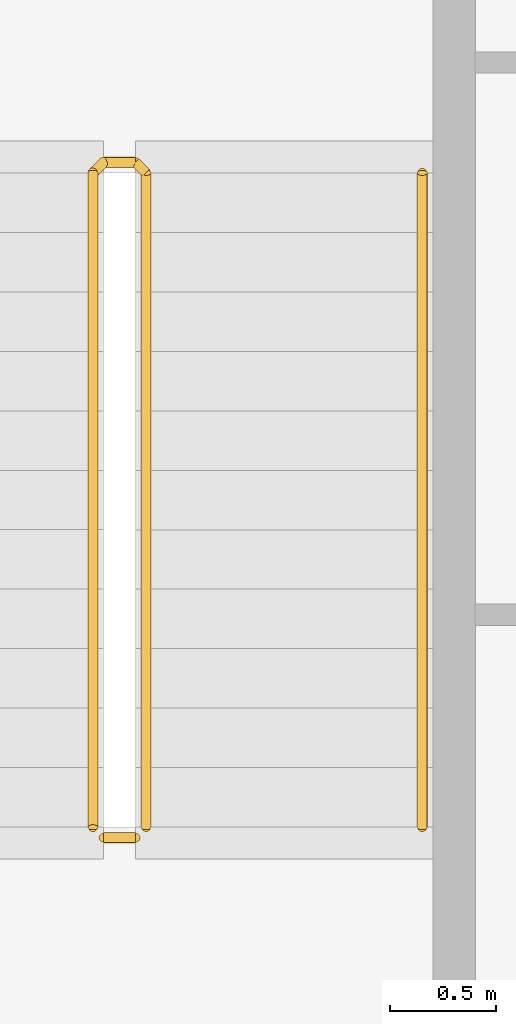
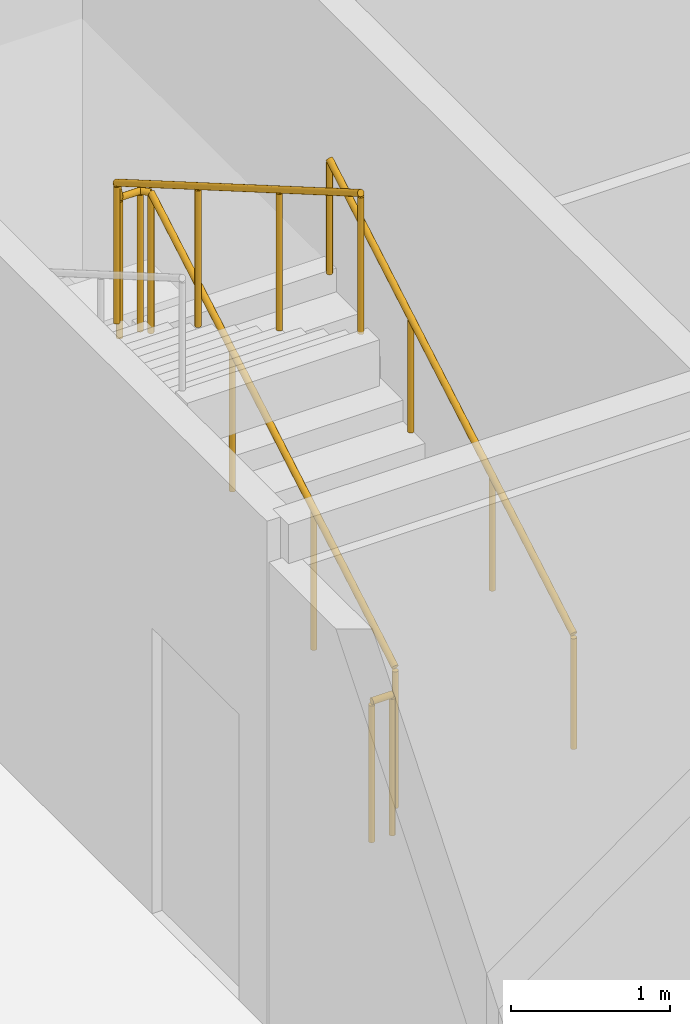
# One storey, part 16 of 17: 3 railings.
"""IFC4 building model written with IfcOpenShell, lengths in metres."""

from ifc_helpers import new_model, si_unit, direction, frame, origin, origin_2d, place, context, subcontext, project, spatial, circle, extrude, material, type_object, element, save


model = new_model("IFC4")

# Units and contexts
model_context = context("Model", 3, precision=1e-05, world=origin(), true_north=direction((0.0, 1.0)))
body_context = subcontext(model_context, "Body", "Model", "MODEL_VIEW")
ifc_project = project(units=[si_unit("LENGTHUNIT", "METRE"), si_unit("AREAUNIT", "SQUARE_METRE"), si_unit("VOLUMEUNIT", "CUBIC_METRE"), si_unit("PLANEANGLEUNIT", "RADIAN"), si_unit("MASSUNIT", "GRAM", prefix="KILO")], contexts=[model_context])

# Site, building, storey
site_placement = place(None, origin())
site = spatial("IfcSite", under=ifc_project, at=site_placement, CompositionType="ELEMENT")
building_placement = place(site_placement, origin())
building = spatial("IfcBuilding", under=site, at=building_placement, Name="Kheshtan School and Residences Tower", CompositionType="ELEMENT")
storey_placement = place(building_placement, frame((0.0, 0.0, 342.199951171875)))
storey = spatial("IfcBuildingStorey", under=building, at=storey_placement, Name="L80", CompositionType="ELEMENT", Elevation=342.199951171875)

# Railings
ifc_material_1 = material(Name="Stainless steel balustrade", Category="steel")
railing_type_1 = type_object("IfcRailingType", Name="Stair guard 1100", PredefinedType="GUARDRAIL", material=ifc_material_1)
railing_1_placement = place(storey_placement, frame((35.0, 80.89990234375, 0.16259765625)))
element("IfcRailing", 1, at=railing_1_placement, inside=storey, type_object=railing_type_1, Name="L80 ST3 stair guard 1", PredefinedType="GUARDRAIL", context=body_context, shape_type="SweptSolid", body=[
    extrude(circle(Radius=0.02392578125, at=origin_2d()), frame((0.0, 0.0, 1.076171875), z_axis=(0.0, 0.864920483161, 0.501908913857), x_axis=(-1.0, 0.0, 0.0)), (0.0, 0.0, 1.0), 3.56103515625),
    extrude(circle(Radius=0.02392578125, at=origin_2d()), frame((0.0, 3.080078125, 2.86328125), z_axis=(-0.707106781187, 0.707106781187, 0.0), x_axis=(-0.707106781187, -0.707106781187, 0.0)), (0.0, 0.0, 1.0), 0.07080078125),
    extrude(circle(Radius=0.02392578125, at=origin_2d()), frame((-0.050048828125, 3.130126953125, 2.86328125), z_axis=(-1.0, 0.0, 0.0), x_axis=(0.0, -1.0, 0.0)), (0.0, 0.0, 1.0), 0.14990234375),
    extrude(circle(Radius=0.02392578125, at=origin_2d()), frame((-0.199951171875, 3.130126953125, 2.86328125), z_axis=(-0.282227285176, -0.282227285176, 0.916894497205), x_axis=(0.707106781187, -0.707106781187, 0.0)), (0.0, 0.0, 1.0), 0.17724609375),
    extrude(circle(Radius=0.02392578125, at=origin_2d()), frame((-0.25, 3.080078125, 3.02587890625), z_axis=(0.0, -0.864890721111, 0.501960198159), x_axis=(1.0, 0.0, 0.0)), (0.0, 0.0, 1.0), 3.561279296875),
    extrude(circle(Radius=0.02099609375, at=origin_2d()), origin(), (0.0, 0.0, 1.0), 1.052001953125),
    extrude(circle(Radius=0.02099609375, at=origin_2d()), frame((0.0, 1.026611328125, 0.595703125)), (0.0, 0.0, 1.0), 1.052001953125),
    extrude(circle(Radius=0.02099609375, at=origin_2d()), frame((0.0, 2.053466796875, 1.191650390625)), (0.0, 0.0, 1.0), 1.052001953125),
    extrude(circle(Radius=0.02099609375, at=origin_2d()), frame((0.0, 3.080078125, 1.787353515625)), (0.0, 0.0, 1.0), 1.052001953125),
    extrude(circle(Radius=0.02099609375, at=origin_2d()), frame((-0.050048828125, 3.130126953125, 1.787353515625)), (0.0, 0.0, 1.0), 1.052001953125),
    extrude(circle(Radius=0.02099609375, at=origin_2d()), frame((-0.199951171875, 3.130126953125, 1.787353515625)), (0.0, 0.0, 1.0), 1.052001953125),
    extrude(circle(Radius=0.02099609375, at=origin_2d()), frame((-0.25, 3.080078125, 1.949951171875)), (0.0, 0.0, 1.0), 1.052001953125),
    extrude(circle(Radius=0.02099609375, at=origin_2d()), frame((-0.25, 2.053466796875, 2.5458984375)), (0.0, 0.0, 1.0), 1.052001953125),
    extrude(circle(Radius=0.02099609375, at=origin_2d()), frame((-0.25, 1.026611328125, 3.1416015625)), (0.0, 0.0, 1.0), 1.052001953125),
    extrude(circle(Radius=0.02099609375, at=origin_2d()), frame((-0.25, 0.0, 3.737548828125)), (0.0, 0.0, 1.0), 1.052001953125),
])
railing_2_placement = place(storey_placement, frame((34.949951171875, 80.85009765625, 0.0)))
element("IfcRailing", 2, at=railing_2_placement, inside=storey, type_object=railing_type_1, Name="L80 ST3 stair guard 2", PredefinedType="GUARDRAIL", context=body_context, shape_type="SweptSolid", body=[
    extrude(circle(Radius=0.02392578125, at=origin_2d()), frame((0.0, 0.0, 1.076171875), z_axis=(-1.0, 0.0, 0.0), x_axis=(0.0, -1.0, 0.0)), (0.0, 0.0, 1.0), 0.14990234375),
    extrude(circle(Radius=0.02099609375, at=origin_2d()), origin(), (0.0, 0.0, 1.0), 1.052001953125),
    extrude(circle(Radius=0.02099609375, at=origin_2d()), frame((-0.14990234375, 0.0, 0.0)), (0.0, 0.0, 1.0), 1.052001953125),
])
ifc_material_2 = material(Name="Stainless steel handrail", Category="steel")
railing_type_2 = type_object("IfcRailingType", Name="Stair handrail 900", PredefinedType="HANDRAIL", material=ifc_material_2)
railing_3_placement = place(storey_placement, frame((36.300048828125, 80.89990234375, 0.16259765625)))
element("IfcRailing", 3, at=railing_3_placement, inside=storey, type_object=railing_type_2, Name="L80 ST3 stair handrail 1", PredefinedType="HANDRAIL", context=body_context, shape_type="SweptSolid", body=[
    extrude(circle(Radius=0.02392578125, at=origin_2d()), frame((0.0, 0.0, 0.8759765625), z_axis=(0.0, 0.864920483161, 0.501908913857), x_axis=(-1.0, 0.0, 0.0)), (0.0, 0.0, 1.0), 3.56103515625),
    extrude(circle(Radius=0.02099609375, at=origin_2d()), origin(), (0.0, 0.0, 1.0), 0.851806640625),
    extrude(circle(Radius=0.02099609375, at=origin_2d()), frame((0.0, 1.026611328125, 0.595703125)), (0.0, 0.0, 1.0), 0.851806640625),
    extrude(circle(Radius=0.02099609375, at=origin_2d()), frame((0.0, 2.053466796875, 1.191650390625)), (0.0, 0.0, 1.0), 0.851806640625),
    extrude(circle(Radius=0.02099609375, at=origin_2d()), frame((0.0, 3.080078125, 1.787353515625)), (0.0, 0.0, 1.0), 0.851806640625),
])

save(model, "model.ifc")
